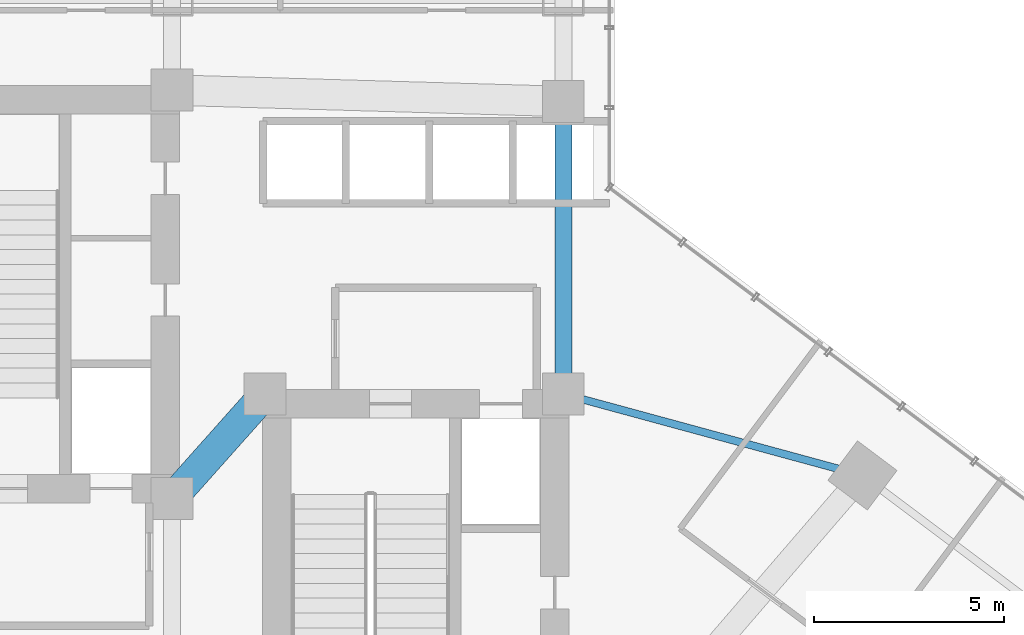
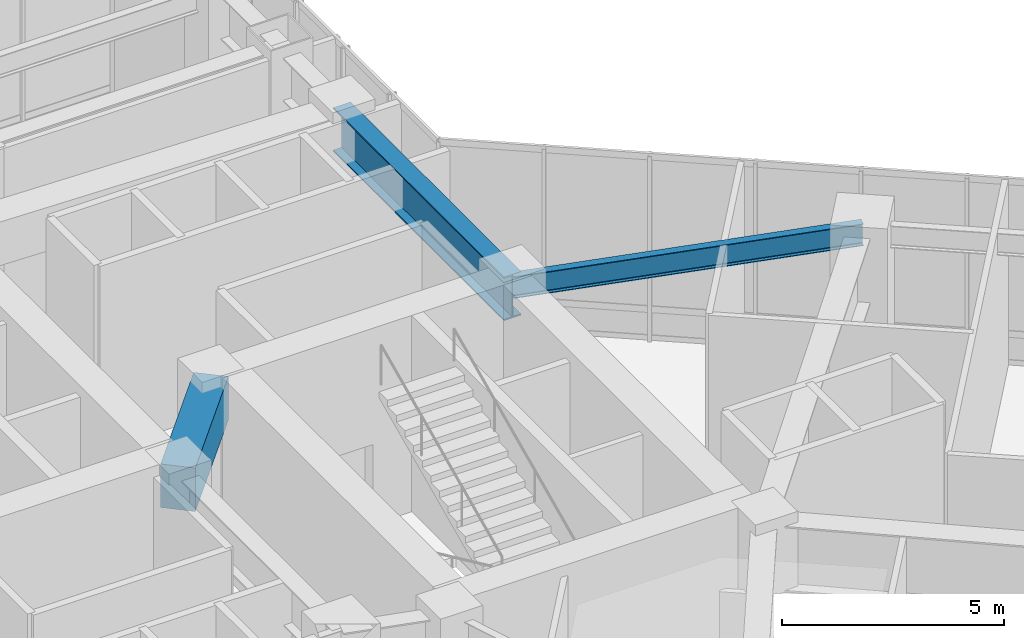
# One storey, part 25 of 38: 3 beams.
"""IFC4 building model written with IfcOpenShell, lengths in metres."""

from ifc_helpers import new_model, si_unit, direction, frame, origin, origin_2d, place, context, subcontext, project, spatial, rectangle, i_section, extrude, material, material_profile, profile_set, type_object, element, save


model = new_model("IFC4")

# Units and contexts
model_context = context("Model", 3, precision=1e-05, world=origin(), true_north=direction((0.0, 1.0)))
body_context = subcontext(model_context, "Body", "Model", "MODEL_VIEW")
ifc_project = project(units=[si_unit("LENGTHUNIT", "METRE"), si_unit("AREAUNIT", "SQUARE_METRE"), si_unit("VOLUMEUNIT", "CUBIC_METRE"), si_unit("PLANEANGLEUNIT", "RADIAN"), si_unit("MASSUNIT", "GRAM", prefix="KILO")], contexts=[model_context])

# Site, building, storey
site_placement = place(None, origin())
site = spatial("IfcSite", under=ifc_project, at=site_placement, CompositionType="ELEMENT")
building_placement = place(site_placement, origin())
building = spatial("IfcBuilding", under=site, at=building_placement, Name="Hatsunagi Terrace Concourse", CompositionType="ELEMENT")
storey_placement = place(building_placement, frame((0.0, 0.0, 21.60009765625)))
storey = spatial("IfcBuildingStorey", under=building, at=storey_placement, Name="L05", CompositionType="ELEMENT", Elevation=21.60009765625)

# Beams
ifc_material_1 = material(Name="Concrete Fc60", Category="concrete")
ifc_material_profile_1 = material_profile(ifc_material_1, rectangle(XDim=0.800048828125, YDim=1.199951171875, at=origin_2d()), Name="RC-800x1200")
ifc_profile_set_1 = profile_set([ifc_material_profile_1], Name="Concrete Fc60")
beam_type_1 = type_object("IfcBeamType", Name="CoreCouplingBeam_RC_800x1200", PredefinedType="BEAM", material=ifc_profile_set_1)
beam_1_placement = place(storey_placement, frame((33.35009765625, 32.550048828125, 4.5), z_axis=(0.665198651008, 0.746666427997, 0.0), x_axis=(-0.746666427997, 0.665198651008, 0.0)))
element("IfcBeam", 1, at=beam_1_placement, inside=storey, type_object=beam_type_1, Name="Beam CB-01 CB-L05-1", PredefinedType="BEAM", context=body_context, shape_type="SweptSolid", body=[
    extrude(rectangle(XDim=0.800048828125, YDim=1.199951171875, at=origin_2d()), origin(), (0.0, 0.0, 1.0), 3.68310546875),
])
ifc_material_2 = material(Name="Steel SN490B", Category="steel")
ifc_material_profile_2 = material_profile(ifc_material_2, i_section(OverallWidth=0.199951171875, OverallDepth=0.60009765625, WebThickness=0.010986328125, FlangeThickness=0.01708984375, FilletRadius=0.01806640625, at=origin_2d()), Name="H-600x200x11x17")
ifc_profile_set_2 = profile_set([ifc_material_profile_2], Name="Steel SN490B")
beam_type_2 = type_object("IfcBeamType", Name="PerimeterSpandrel_H_600x200", PredefinedType="SPANDREL", material=ifc_profile_set_2)
beam_2_placement = place(storey_placement, frame((43.64990234375, 35.300048828125, 4.7998046875), z_axis=(0.964958359286, -0.262403057994, 0.0), x_axis=(0.262403057994, 0.964958359286, 0.0)))
element("IfcBeam", 2, at=beam_2_placement, inside=storey, type_object=beam_type_2, Name="Beam SP-01 BM-L05-SE-NE0", PredefinedType="SPANDREL", context=body_context, shape_type="SweptSolid", body=[
    extrude(i_section(OverallWidth=0.199951171875, OverallDepth=0.60009765625, WebThickness=0.010986328125, FlangeThickness=0.01708984375, FilletRadius=0.01806640625, at=origin_2d()), origin(), (0.0, 0.0, 1.0), 8.156005859375),
])
ifc_material_3 = material(Name="Steel SN490B", Category="steel")
ifc_material_profile_3 = material_profile(ifc_material_3, i_section(OverallWidth=0.449951171875, OverallDepth=1.199951171875, WebThickness=0.02490234375, FlangeThickness=0.035888671875, at=origin_2d()), Name="BH-1200x450x25x36")
ifc_profile_set_3 = profile_set([ifc_material_profile_3], Name="Steel SN490B")
beam_type_3 = type_object("IfcBeamType", Name="PodiumHallGirder_BH_1200x450x25x36", PredefinedType="BEAM", material=ifc_profile_set_3)
beam_3_placement = place(storey_placement, frame((43.64990234375, 35.300048828125, 4.5), z_axis=(0.0, 1.0, 0.0), x_axis=(-1.0, 0.0, 0.0)))
element("IfcBeam", 3, at=beam_3_placement, inside=storey, type_object=beam_type_3, Name="Beam G-01 BM-L05-CBK3", PredefinedType="BEAM", context=body_context, shape_type="SweptSolid", body=[
    extrude(i_section(OverallWidth=0.449951171875, OverallDepth=1.199951171875, WebThickness=0.02490234375, FlangeThickness=0.035888671875, at=origin_2d()), origin(), (0.0, 0.0, 1.0), 7.699951171875),
])

save(model, "model.ifc")
